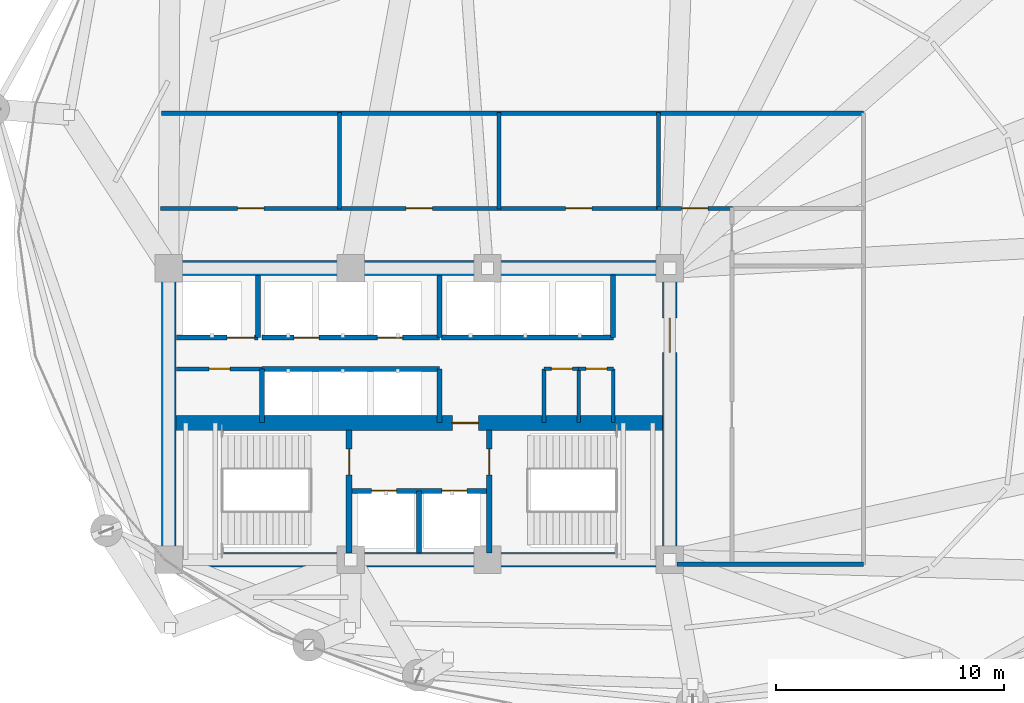
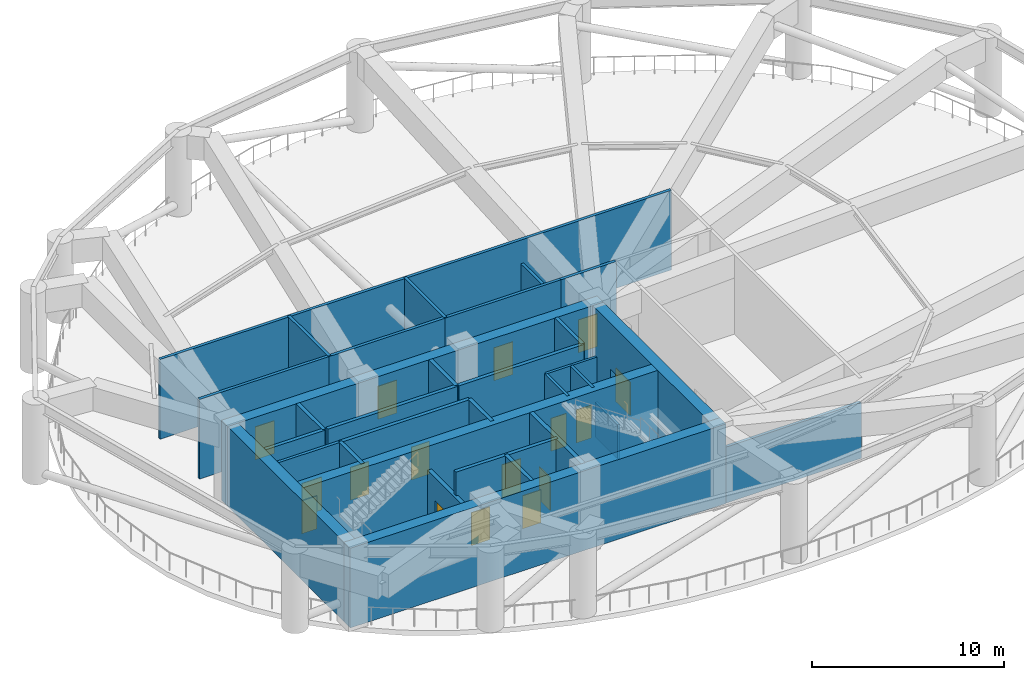
# One storey, part 6 of 9: 33 walls, 16 doors, 16 openings.
"""IFC4 building model written with IfcOpenShell, lengths in metres."""

from ifc_helpers import new_model, si_unit, direction, frame, frame_2d, origin, place, context, subcontext, project, spatial, rectangle, extrude, material, layer, layer_set, type_object, element, fill, save


model = new_model("IFC4")

# Units and contexts
model_context = context("Model", 3, precision=1e-05, world=origin(), true_north=direction((0.0, 1.0)))
body_context = subcontext(model_context, "Body", "Model", "MODEL_VIEW")
ifc_project = project(units=[si_unit("LENGTHUNIT", "METRE"), si_unit("AREAUNIT", "SQUARE_METRE"), si_unit("VOLUMEUNIT", "CUBIC_METRE"), si_unit("PLANEANGLEUNIT", "RADIAN"), si_unit("MASSUNIT", "GRAM", prefix="KILO")], contexts=[model_context])

# Site, building, storey
site_placement = place(None, origin())
site = spatial("IfcSite", under=ifc_project, at=site_placement, CompositionType="ELEMENT")
building_placement = place(site_placement, origin())
building = spatial("IfcBuilding", under=site, at=building_placement, Name="Kazevale Care Tower and Concert Hall", CompositionType="ELEMENT")
storey_placement = place(building_placement, frame((0.0, 0.0, 92.39990234375)))
storey = spatial("IfcBuildingStorey", under=building, at=storey_placement, Name="L24", CompositionType="ELEMENT", Elevation=92.39990234375)

# Wall
ifc_material_1 = material(Name="Acoustic Gypsum on Steel Stud", Category="steel")
ifc_layer_1 = layer(ifc_material_1, 0.139892578125)
ifc_layer_set_1 = layer_set([ifc_layer_1], Name="Acoustic Gypsum on Steel Stud")
wall_type_1 = type_object("IfcWallType", Name="Acoustic Care & Suite Partition 140", PredefinedType="PARTITIONING", material=ifc_layer_set_1)
wall_1_placement = place(storey_placement, frame((41.52001953125, 29.6201171875, 0.0), z_axis=(0.0, 0.0, 1.0), x_axis=(0.0, 1.0, 0.0)))
element("IfcWall", 1, at=wall_1_placement, inside=storey, type_object=wall_type_1, Name="wall:L24:ka_ee", PredefinedType="PARTITIONING", context=body_context, shape_type="SweptSolid", body=[
    extrude(rectangle(XDim=2.35986328125, YDim=0.139892578125, at=frame_2d((1.179931640625, 0.0))), origin(), (0.0, 0.0, 1.0), 2.18701171875),
])

# Wall, opening, door
wall_2_placement = place(storey_placement, frame((40.0, 31.97998046875, 0.0), z_axis=(0.0, 0.0, 1.0), x_axis=(1.0, 0.0, 0.0)))
wall_2 = element("IfcWall", 2, at=wall_2_placement, inside=storey, type_object=wall_type_1, Name="wall:L24:ka_en2", PredefinedType="PARTITIONING", context=body_context, shape_type="SweptSolid", body=[
    extrude(rectangle(XDim=1.52001953125, YDim=0.139892578125, at=frame_2d((0.760009765625, 0.0))), origin(), (0.0, 0.0, 1.0), 5.080078125),
])
opening_1_placement = place(wall_2_placement, frame((0.320068359375, 0.0, 0.0)))
opening_1 = element("IfcOpeningElement", 3, at=opening_1_placement, cuts=wall_2, Name="Opening ID-900", PredefinedType="OPENING", context=body_context, shape_type="SweptSolid", body=[
    extrude(rectangle(XDim=0.919921875, YDim=2.10009765625, at=frame_2d((0.4599609375, 1.050048828125))), frame((0.0, 0.079833984375, 0.0), z_axis=(0.0, -1.0, 0.0), x_axis=(1.0, 0.0, 0.0)), (0.0, 0.0, 1.0), 0.159912109375),
])
ifc_material_2 = material(Name="Oak Timber Fire Leaf", Category="wood")
door_type_1 = type_object("IfcDoorType", Name="Bathroom & Service Door 920x2100", OperationType="NOTDEFINED", PredefinedType="DOOR", material=ifc_material_2)
door_1_placement = place(opening_1_placement, origin())
door_1 = element("IfcDoor", 4, at=door_1_placement, inside=storey, type_object=door_type_1, Name="door:L24:d_kae2", OperationType="SINGLE_SWING_RIGHT", OverallHeight=2.10009765625, OverallWidth=0.919921875, PredefinedType="DOOR", context=body_context, shape_type="SweptSolid", body=[
    extrude(rectangle(XDim=0.919921875, YDim=2.10009765625, at=frame_2d((0.4599609375, 1.050048828125))), frame((0.0, 0.02490234375, 0.0), z_axis=(0.0, -1.0, 0.0), x_axis=(1.0, 0.0, 0.0)), (0.0, 0.0, 1.0), 0.050048828125),
])
fill(opening_1, door_1)

# Walls
ifc_material_3 = material(Name="Concrete C70", Category="concrete")
ifc_layer_2 = layer(ifc_material_3, 0.64990234375)
ifc_layer_set_2 = layer_set([ifc_layer_2], Name="Concrete C70")
wall_type_2 = type_object("IfcWallType", Name="Core Shear Wall 650 C70", PredefinedType="SHEAR", material=ifc_layer_set_2)
for number, where, z_axis, x_axis, name in (
    (5, (21.675048828125, 23.60009765625, 0.0), (0.0, 0.0, 1.0), (1.0, 0.0, 0.0), "wall:L24:core:S"),
    (6, (21.675048828125, 36.39990234375, 0.0), (0.0, 0.0, 1.0), (1.0, 0.0, 0.0), "wall:L24:core:N"),
):
    element("IfcWall", number, at=place(storey_placement, frame(where, z_axis=z_axis, x_axis=x_axis)), inside=storey, type_object=wall_type_2, Name=name, PredefinedType="SHEAR", context=body_context, shape_type="SweptSolid", body=[
        extrude(rectangle(XDim=22.64990234375, YDim=0.64990234375, at=frame_2d((11.324951171875, 0.0))), origin(), (0.0, 0.0, 1.0), 5.080078125),
    ])
wall_3_placement = place(storey_placement, frame((22.0, 23.925048828125, 0.0), z_axis=(0.0, 0.0, 1.0), x_axis=(0.0, 1.0, 0.0)))
element("IfcWall", 7, at=wall_3_placement, inside=storey, type_object=wall_type_2, Name="wall:L24:core:W", PredefinedType="SHEAR", context=body_context, shape_type="SweptSolid", body=[
    extrude(rectangle(XDim=12.14990234375, YDim=0.64990234375, at=frame_2d((6.074951171875, 0.0))), origin(), (0.0, 0.0, 1.0), 5.080078125),
])

# Wall, opening, door
wall_4_placement = place(storey_placement, frame((44.0, 23.925048828125, 0.0), z_axis=(0.0, 0.0, 1.0), x_axis=(0.0, 1.0, 0.0)))
wall_4 = element("IfcWall", 8, at=wall_4_placement, inside=storey, type_object=wall_type_2, Name="wall:L24:core:E", PredefinedType="SHEAR", context=body_context, shape_type="SweptSolid", body=[
    extrude(rectangle(XDim=12.14990234375, YDim=0.64990234375, at=frame_2d((6.074951171875, 0.0))), origin(), (0.0, 0.0, 1.0), 5.080078125),
])
opening_2_placement = place(wall_4_placement, frame((8.77490234375, 0.0, 0.0)))
opening_2 = element("IfcOpeningElement", 9, at=opening_2_placement, cuts=wall_4, Name="Opening FD-60D", PredefinedType="OPENING", context=body_context, shape_type="SweptSolid", body=[
    extrude(rectangle(XDim=1.5, YDim=2.14990234375, at=frame_2d((0.75, 1.074951171875))), frame((0.0, 0.3349609375, 0.0), z_axis=(0.0, -1.0, 0.0), x_axis=(1.0, 0.0, 0.0)), (0.0, 0.0, 1.0), 0.669921875),
])
door_type_2 = type_object("IfcDoorType", Name="Double Lobby & Auditorium Fire Door 1500x2150", OperationType="NOTDEFINED", PredefinedType="DOOR", material=ifc_material_2)
door_2_placement = place(opening_2_placement, origin())
door_2 = element("IfcDoor", 10, at=door_2_placement, inside=storey, type_object=door_type_2, Name="door:L24:core_east_out", OperationType="DOUBLE_DOOR_SINGLE_SWING", OverallHeight=2.14990234375, OverallWidth=1.5, PredefinedType="DOOR", context=body_context, shape_type="SweptSolid", body=[
    extrude(rectangle(XDim=1.5, YDim=2.14990234375, at=frame_2d((0.75, 1.074951171875))), frame((0.0, 0.02490234375, 0.0), z_axis=(0.0, -1.0, 0.0), x_axis=(1.0, 0.0, 0.0)), (0.0, 0.0, 1.0), 0.050048828125),
])
fill(opening_2, door_2)

wall_5_placement = place(storey_placement, frame((22.324951171875, 29.60009765625, 0.0), z_axis=(0.0, 0.0, 1.0), x_axis=(1.0, 0.0, 0.0)))
wall_5 = element("IfcWall", 11, at=wall_5_placement, inside=storey, type_object=wall_type_2, Name="wall:L24:core:M", PredefinedType="SHEAR", context=body_context, shape_type="SweptSolid", body=[
    extrude(rectangle(XDim=21.35009765625, YDim=0.64990234375, at=frame_2d((10.675048828125, 0.0))), origin(), (0.0, 0.0, 1.0), 5.080078125),
])
opening_3_placement = place(wall_5_placement, frame((12.125, 0.0, 0.0)))
opening_3 = element("IfcOpeningElement", 12, at=opening_3_placement, cuts=wall_5, Name="Opening FD-90", PredefinedType="OPENING", context=body_context, shape_type="SweptSolid", body=[
    extrude(rectangle(XDim=1.14990234375, YDim=2.10009765625, at=frame_2d((0.574951171875, 1.050048828125))), frame((0.0, 0.3349609375, 0.0), z_axis=(0.0, -1.0, 0.0), x_axis=(1.0, 0.0, 0.0)), (0.0, 0.0, 1.0), 0.669921875),
])
ifc_material_4 = material(Name="Steel ASTM A572 Gr 50", Category="steel")
door_type_3 = type_object("IfcDoorType", Name="Pressurized Stair & Lobby Fire Door 1150x2100", OperationType="NOTDEFINED", PredefinedType="DOOR", material=ifc_material_4)
door_3_placement = place(opening_3_placement, origin())
door_3 = element("IfcDoor", 13, at=door_3_placement, inside=storey, type_object=door_type_3, Name="door:L24:ff_to_pax", OperationType="SINGLE_SWING_LEFT", OverallHeight=2.10009765625, OverallWidth=1.14990234375, PredefinedType="DOOR", context=body_context, shape_type="SweptSolid", body=[
    extrude(rectangle(XDim=1.14990234375, YDim=2.10009765625, at=frame_2d((0.574951171875, 1.050048828125))), frame((0.0, 0.02490234375, 0.0), z_axis=(0.0, -1.0, 0.0), x_axis=(1.0, 0.0, 0.0)), (0.0, 0.0, 1.0), 0.050048828125),
])
fill(opening_3, door_3)

# Wall, openings, doors
ifc_material_5 = material(Name="Concrete C40", Category="concrete")
ifc_layer_3 = layer(ifc_material_5, 0.219970703125)
ifc_layer_set_3 = layer_set([ifc_layer_3], Name="Concrete C40")
wall_type_3 = type_object("IfcWallType", Name="Elevator Hoistway Shaft Wall 220", PredefinedType="SOLIDWALL", material=ifc_layer_set_3)
wall_6_placement = place(storey_placement, frame((29.919921875, 26.6201171875, 0.0), z_axis=(0.0, 0.0, 1.0), x_axis=(1.0, 0.0, 0.0)))
wall_6 = element("IfcWall", 14, at=wall_6_placement, inside=storey, type_object=wall_type_3, Name="wall:L24:c_ffl_n", PredefinedType="SOLIDWALL", context=body_context, shape_type="SweptSolid", body=[
    extrude(rectangle(XDim=6.16015625, YDim=0.219970703125, at=frame_2d((3.080078125, 0.0))), origin(), (0.0, 0.0, 1.0), 5.080078125),
])
opening_4_placement = place(wall_6_placement, frame((0.989990234375, 0.0, 0.0)))
opening_4 = element("IfcOpeningElement", 15, at=opening_4_placement, cuts=wall_6, Name="Opening LD-FF", PredefinedType="OPENING", context=body_context, shape_type="SweptSolid", body=[
    extrude(rectangle(XDim=1.10009765625, YDim=2.10009765625, at=frame_2d((0.550048828125, 1.050048828125))), frame((0.0, 0.119873046875, 0.0), z_axis=(0.0, -1.0, 0.0), x_axis=(1.0, 0.0, 0.0)), (0.0, 0.0, 1.0), 0.239990234375),
])
opening_5_placement = place(wall_6_placement, frame((4.070068359375, 0.0, 0.0)))
opening_5 = element("IfcOpeningElement", 16, at=opening_5_placement, cuts=wall_6, Name="Opening LD-FF", PredefinedType="OPENING", context=body_context, shape_type="SweptSolid", body=[
    extrude(rectangle(XDim=1.10009765625, YDim=2.10009765625, at=frame_2d((0.550048828125, 1.050048828125))), frame((0.0, 0.119873046875, 0.0), z_axis=(0.0, -1.0, 0.0), x_axis=(1.0, 0.0, 0.0)), (0.0, 0.0, 1.0), 0.239990234375),
])
ifc_material_6 = material(Name="Stainless Steel 316", Category="steel")
door_type_4 = type_object("IfcDoorType", Name="Emergency Lift Sliding Landing Door 1100x2100", OperationType="NOTDEFINED", PredefinedType="DOOR", material=ifc_material_6)
door_4_placement = place(opening_4_placement, origin())
door_4 = element("IfcDoor", 17, at=door_4_placement, inside=storey, type_object=door_type_4, Name="door:L24:ld_ffl1", OperationType="SLIDING_TO_LEFT", OverallHeight=2.10009765625, OverallWidth=1.10009765625, PredefinedType="DOOR", context=body_context, shape_type="SweptSolid", body=[
    extrude(rectangle(XDim=1.10009765625, YDim=2.10009765625, at=frame_2d((0.550048828125, 1.050048828125))), frame((0.0, 0.02490234375, 0.0), z_axis=(0.0, -1.0, 0.0), x_axis=(1.0, 0.0, 0.0)), (0.0, 0.0, 1.0), 0.050048828125),
])
fill(opening_4, door_4)
door_5_placement = place(opening_5_placement, origin())
door_5 = element("IfcDoor", 18, at=door_5_placement, inside=storey, type_object=door_type_4, Name="door:L24:ld_ffl2", OperationType="SLIDING_TO_RIGHT", OverallHeight=2.10009765625, OverallWidth=1.10009765625, PredefinedType="DOOR", context=body_context, shape_type="SweptSolid", body=[
    extrude(rectangle(XDim=1.10009765625, YDim=2.10009765625, at=frame_2d((0.550048828125, 1.050048828125))), frame((0.0, 0.02490234375, 0.0), z_axis=(0.0, -1.0, 0.0), x_axis=(1.0, 0.0, 0.0)), (0.0, 0.0, 1.0), 0.050048828125),
])
fill(opening_5, door_5)

# Walls
wall_7_placement = place(storey_placement, frame((33.0, 23.89990234375, 0.0), z_axis=(0.0, 0.0, 1.0), x_axis=(0.0, 1.0, 0.0)))
element("IfcWall", 19, at=wall_7_placement, inside=storey, type_object=wall_type_3, Name="wall:L24:c_ffl_m", PredefinedType="SOLIDWALL", context=body_context, shape_type="SweptSolid", body=[
    extrude(rectangle(XDim=2.72021484375, YDim=0.219970703125, at=frame_2d((1.360107421875, 0.0))), origin(), (0.0, 0.0, 1.0), 5.080078125),
])
wall_8_placement = place(storey_placement, frame((25.919921875, 33.35009765625, 0.0), z_axis=(0.0, 0.0, 1.0), x_axis=(0.0, 1.0, 0.0)))
element("IfcWall", 20, at=wall_8_placement, inside=storey, type_object=wall_type_3, Name="wall:L24:c_svl_e", PredefinedType="SOLIDWALL", context=body_context, shape_type="SweptSolid", body=[
    extrude(rectangle(XDim=2.72998046875, YDim=0.219970703125, at=frame_2d((1.364990234375, 0.0))), origin(), (0.0, 0.0, 1.0), 5.080078125),
])

# Wall, opening, door
wall_9_placement = place(storey_placement, frame((22.35009765625, 33.35009765625, 0.0), z_axis=(0.0, 0.0, 1.0), x_axis=(1.0, 0.0, 0.0)))
wall_9 = element("IfcWall", 21, at=wall_9_placement, inside=storey, type_object=wall_type_3, Name="wall:L24:c_svl_s", PredefinedType="SOLIDWALL", context=body_context, shape_type="SweptSolid", body=[
    extrude(rectangle(XDim=3.56982421875, YDim=0.219970703125, at=frame_2d((1.784912109375, 0.0))), origin(), (0.0, 0.0, 1.0), 5.080078125),
])
opening_6_placement = place(wall_9_placement, frame((2.212890625, 0.0, 0.0)))
opening_6 = element("IfcOpeningElement", 22, at=opening_6_placement, cuts=wall_9, Name="Opening LD-SV", PredefinedType="OPENING", context=body_context, shape_type="SweptSolid", body=[
    extrude(rectangle(XDim=1.199951171875, YDim=2.10009765625, at=frame_2d((0.60009765625, 1.050048828125))), frame((0.0, 0.119873046875, 0.0), z_axis=(0.0, -1.0, 0.0), x_axis=(1.0, 0.0, 0.0)), (0.0, 0.0, 1.0), 0.239990234375),
])
door_type_5 = type_object("IfcDoorType", Name="Service Lift Sliding Landing Door 1200x2100", OperationType="NOTDEFINED", PredefinedType="DOOR", material=ifc_material_6)
door_6_placement = place(opening_6_placement, origin())
door_6 = element("IfcDoor", 23, at=door_6_placement, inside=storey, type_object=door_type_5, Name="door:L24:ld_svl1", OperationType="SLIDING_TO_LEFT", OverallHeight=2.10009765625, OverallWidth=1.199951171875, PredefinedType="DOOR", context=body_context, shape_type="SweptSolid", body=[
    extrude(rectangle(XDim=1.199951171875, YDim=2.10009765625, at=frame_2d((0.60009765625, 1.050048828125))), frame((0.0, 0.02490234375, 0.0), z_axis=(0.0, -1.0, 0.0), x_axis=(1.0, 0.0, 0.0)), (0.0, 0.0, 1.0), 0.050048828125),
])
fill(opening_6, door_6)

# Walls
wall_10_placement = place(storey_placement, frame((26.10009765625, 29.6201171875, 0.0), z_axis=(0.0, 0.0, 1.0), x_axis=(0.0, 1.0, 0.0)))
element("IfcWall", 24, at=wall_10_placement, inside=storey, type_object=wall_type_3, Name="wall:L24:c_ph_w", PredefinedType="SOLIDWALL", context=body_context, shape_type="SweptSolid", body=[
    extrude(rectangle(XDim=2.35986328125, YDim=0.219970703125, at=frame_2d((1.179931640625, 0.0))), origin(), (0.0, 0.0, 1.0), 5.080078125),
])
wall_11_placement = place(storey_placement, frame((26.10009765625, 31.97998046875, 0.0), z_axis=(0.0, 0.0, 1.0), x_axis=(1.0, 0.0, 0.0)))
element("IfcWall", 25, at=wall_11_placement, inside=storey, type_object=wall_type_3, Name="wall:L24:c_ph_n", PredefinedType="SOLIDWALL", context=body_context, shape_type="SweptSolid", body=[
    extrude(rectangle(XDim=7.7998046875, YDim=0.219970703125, at=frame_2d((3.89990234375, 0.0))), origin(), (0.0, 0.0, 1.0), 5.080078125),
])
wall_12_placement = place(storey_placement, frame((33.89990234375, 29.6201171875, 0.0), z_axis=(0.0, 0.0, 1.0), x_axis=(0.0, 1.0, 0.0)))
element("IfcWall", 26, at=wall_12_placement, inside=storey, type_object=wall_type_3, Name="wall:L24:c_ph_e", PredefinedType="SOLIDWALL", context=body_context, shape_type="SweptSolid", body=[
    extrude(rectangle(XDim=2.35986328125, YDim=0.219970703125, at=frame_2d((1.179931640625, 0.0))), origin(), (0.0, 0.0, 1.0), 5.080078125),
])

# Wall, openings, doors
wall_13_placement = place(storey_placement, frame((26.10009765625, 33.35009765625, 0.0), z_axis=(0.0, 0.0, 1.0), x_axis=(1.0, 0.0, 0.0)))
wall_13 = element("IfcWall", 27, at=wall_13_placement, inside=storey, type_object=wall_type_3, Name="wall:L24:c_pl_s", PredefinedType="SOLIDWALL", context=body_context, shape_type="SweptSolid", body=[
    extrude(rectangle(XDim=7.7998046875, YDim=0.219970703125, at=frame_2d((3.89990234375, 0.0))), origin(), (0.0, 0.0, 1.0), 5.080078125),
])
opening_7_placement = place(wall_13_placement, frame((1.39990234375, 0.0, 0.0)))
opening_7 = element("IfcOpeningElement", 28, at=opening_7_placement, cuts=wall_13, Name="Opening LD-PAX", PredefinedType="OPENING", context=body_context, shape_type="SweptSolid", body=[
    extrude(rectangle(XDim=1.10009765625, YDim=2.10009765625, at=frame_2d((0.550048828125, 1.050048828125))), frame((0.0, 0.119873046875, 0.0), z_axis=(0.0, -1.0, 0.0), x_axis=(1.0, 0.0, 0.0)), (0.0, 0.0, 1.0), 0.239990234375),
])
opening_8_placement = place(wall_13_placement, frame((5.06591796875, 0.0, 0.0)))
opening_8 = element("IfcOpeningElement", 29, at=opening_8_placement, cuts=wall_13, Name="Opening LD-PAX", PredefinedType="OPENING", context=body_context, shape_type="SweptSolid", body=[
    extrude(rectangle(XDim=1.10009765625, YDim=2.10009765625, at=frame_2d((0.550048828125, 1.050048828125))), frame((0.0, 0.119873046875, 0.0), z_axis=(0.0, -1.0, 0.0), x_axis=(1.0, 0.0, 0.0)), (0.0, 0.0, 1.0), 0.239990234375),
])
door_type_6 = type_object("IfcDoorType", Name="Passenger Lift Sliding Landing Door 1100x2100", OperationType="NOTDEFINED", PredefinedType="DOOR", material=ifc_material_6)
door_7_placement = place(opening_7_placement, origin())
door_7 = element("IfcDoor", 30, at=door_7_placement, inside=storey, type_object=door_type_6, Name="door:L24:ld_pl1", OperationType="SLIDING_TO_LEFT", OverallHeight=2.10009765625, OverallWidth=1.10009765625, PredefinedType="DOOR", context=body_context, shape_type="SweptSolid", body=[
    extrude(rectangle(XDim=1.10009765625, YDim=2.10009765625, at=frame_2d((0.550048828125, 1.050048828125))), frame((0.0, 0.02490234375, 0.0), z_axis=(0.0, -1.0, 0.0), x_axis=(1.0, 0.0, 0.0)), (0.0, 0.0, 1.0), 0.050048828125),
])
fill(opening_7, door_7)
door_8_placement = place(opening_8_placement, origin())
door_8 = element("IfcDoor", 31, at=door_8_placement, inside=storey, type_object=door_type_6, Name="door:L24:ld_pl2", OperationType="SLIDING_TO_RIGHT", OverallHeight=2.10009765625, OverallWidth=1.10009765625, PredefinedType="DOOR", context=body_context, shape_type="SweptSolid", body=[
    extrude(rectangle(XDim=1.10009765625, YDim=2.10009765625, at=frame_2d((0.550048828125, 1.050048828125))), frame((0.0, 0.02490234375, 0.0), z_axis=(0.0, -1.0, 0.0), x_axis=(1.0, 0.0, 0.0)), (0.0, 0.0, 1.0), 0.050048828125),
])
fill(opening_8, door_8)

# Walls
wall_14_placement = place(storey_placement, frame((33.89990234375, 33.35009765625, 0.0), z_axis=(0.0, 0.0, 1.0), x_axis=(0.0, 1.0, 0.0)))
element("IfcWall", 32, at=wall_14_placement, inside=storey, type_object=wall_type_3, Name="wall:L24:c_pl_e", PredefinedType="SOLIDWALL", context=body_context, shape_type="SweptSolid", body=[
    extrude(rectangle(XDim=2.72998046875, YDim=0.219970703125, at=frame_2d((1.364990234375, 0.0))), origin(), (0.0, 0.0, 1.0), 5.080078125),
])
wall_15_placement = place(storey_placement, frame((33.97998046875, 33.35009765625, 0.0), z_axis=(0.0, 0.0, 1.0), x_axis=(1.0, 0.0, 0.0)))
element("IfcWall", 33, at=wall_15_placement, inside=storey, type_object=wall_type_3, Name="wall:L24:c_pm_s", PredefinedType="SOLIDWALL", context=body_context, shape_type="SweptSolid", body=[
    extrude(rectangle(XDim=7.5400390625, YDim=0.219970703125, at=frame_2d((3.77001953125, 0.0))), origin(), (0.0, 0.0, 1.0), 5.080078125),
])
wall_16_placement = place(storey_placement, frame((41.5, 33.35009765625, 0.0), z_axis=(0.0, 0.0, 1.0), x_axis=(0.0, 1.0, 0.0)))
element("IfcWall", 34, at=wall_16_placement, inside=storey, type_object=wall_type_3, Name="wall:L24:c_pm_e", PredefinedType="SOLIDWALL", context=body_context, shape_type="SweptSolid", body=[
    extrude(rectangle(XDim=2.75, YDim=0.219970703125, at=frame_2d((1.375, 0.0))), origin(), (0.0, 0.0, 1.0), 5.080078125),
])

# Wall, opening, door
ifc_material_7 = material(Name="Concrete C40 and Acoustic Gypsum", Category="concrete")
ifc_layer_4 = layer(ifc_material_7, 0.179931640625)
ifc_layer_set_4 = layer_set([ifc_layer_4], Name="Concrete C40 and Acoustic Gypsum")
wall_type_4 = type_object("IfcWallType", Name="Fire-Rated Corridor & Party Wall 180", PredefinedType="PARTITIONING", material=ifc_layer_set_4)
wall_17_placement = place(storey_placement, frame((22.35009765625, 31.97998046875, 0.0), z_axis=(0.0, 0.0, 1.0), x_axis=(1.0, 0.0, 0.0)))
wall_17 = element("IfcWall", 35, at=wall_17_placement, inside=storey, type_object=wall_type_4, Name="wall:L24:ka_wn1", PredefinedType="PARTITIONING", context=body_context, shape_type="SweptSolid", body=[
    extrude(rectangle(XDim=3.75, YDim=0.179931640625, at=frame_2d((1.875, 0.0))), origin(), (0.0, 0.0, 1.0), 5.080078125),
])
opening_9_placement = place(wall_17_placement, frame((1.425048828125, 0.0, 0.0)))
opening_9 = element("IfcOpeningElement", 36, at=opening_9_placement, cuts=wall_17, Name="Opening ID-900", PredefinedType="OPENING", context=body_context, shape_type="SweptSolid", body=[
    extrude(rectangle(XDim=0.919921875, YDim=2.10009765625, at=frame_2d((0.4599609375, 1.050048828125))), frame((0.0, 0.099853515625, 0.0), z_axis=(0.0, -1.0, 0.0), x_axis=(1.0, 0.0, 0.0)), (0.0, 0.0, 1.0), 0.199951171875),
])
door_9_placement = place(opening_9_placement, origin())
door_9 = element("IfcDoor", 37, at=door_9_placement, inside=storey, type_object=door_type_1, Name="door:L24:d_kaw", OperationType="SINGLE_SWING_LEFT", OverallHeight=2.10009765625, OverallWidth=0.919921875, PredefinedType="DOOR", context=body_context, shape_type="SweptSolid", body=[
    extrude(rectangle(XDim=0.919921875, YDim=2.10009765625, at=frame_2d((0.4599609375, 1.050048828125))), frame((0.0, 0.02490234375, 0.0), z_axis=(0.0, -1.0, 0.0), x_axis=(1.0, 0.0, 0.0)), (0.0, 0.0, 1.0), 0.050048828125),
])
fill(opening_9, door_9)

# Walls
wall_18_placement = place(storey_placement, frame((21.675048828125, 43.199951171875, 0.0), z_axis=(0.0, 0.0, 1.0), x_axis=(1.0, 0.0, 0.0)))
element("IfcWall", 38, at=wall_18_placement, inside=storey, type_object=wall_type_4, Name="wall:L24:wf_enc_n", PredefinedType="PARTITIONING", context=body_context, shape_type="SweptSolid", body=[
    extrude(rectangle(XDim=30.824951171875, YDim=0.179931640625, at=frame_2d((15.41259765625, 0.0))), origin(), (0.0, 0.0, 1.0), 5.080078125),
])
wall_19_placement = place(storey_placement, frame((44.324951171875, 23.39990234375, 0.0), z_axis=(0.0, 0.0, 1.0), x_axis=(1.0, 0.0, 0.0)))
element("IfcWall", 39, at=wall_19_placement, inside=storey, type_object=wall_type_4, Name="wall:L24:wf_enc_s", PredefinedType="PARTITIONING", context=body_context, shape_type="SweptSolid", body=[
    extrude(rectangle(XDim=8.175048828125, YDim=0.179931640625, at=frame_2d((4.08740234375, 0.0))), origin(), (0.0, 0.0, 1.0), 3.570068359375),
])

# Wall, opening, door
wall_20_placement = place(storey_placement, frame((21.64501953125, 39.02490234375, 0.0), z_axis=(0.0, 0.0, 1.0), x_axis=(1.0, 0.0, 0.0)))
wall_20 = element("IfcWall", 40, at=wall_20_placement, inside=storey, type_object=wall_type_4, Name="wall:L24:auto_001", PredefinedType="PARTITIONING", context=body_context, shape_type="SweptSolid", body=[
    extrude(rectangle(XDim=7.919921875, YDim=0.179931640625, at=frame_2d((3.9599609375, 0.0))), origin(), (0.0, 0.0, 1.0), 5.080078125),
])
opening_10_placement = place(wall_20_placement, frame((3.385009765625, 0.0, 0.0)))
opening_10 = element("IfcOpeningElement", 41, at=opening_10_placement, cuts=wall_20, Name="Opening FD-90", PredefinedType="OPENING", context=body_context, shape_type="SweptSolid", body=[
    extrude(rectangle(XDim=1.14990234375, YDim=2.10009765625, at=frame_2d((0.574951171875, 1.050048828125))), frame((0.0, 0.099853515625, 0.0), z_axis=(0.0, -1.0, 0.0), x_axis=(1.0, 0.0, 0.0)), (0.0, 0.0, 1.0), 0.199951171875),
])
door_10_placement = place(opening_10_placement, origin())
door_10 = element("IfcDoor", 42, at=door_10_placement, inside=storey, type_object=door_type_3, Name="door:L24:ad_001", OperationType="SINGLE_SWING_LEFT", OverallHeight=2.10009765625, OverallWidth=1.14990234375, PredefinedType="DOOR", context=body_context, shape_type="SweptSolid", body=[
    extrude(rectangle(XDim=1.14990234375, YDim=2.10009765625, at=frame_2d((0.574951171875, 1.050048828125))), frame((0.0, 0.02490234375, 0.0), z_axis=(0.0, -1.0, 0.0), x_axis=(1.0, 0.0, 0.0)), (0.0, 0.0, 1.0), 0.050048828125),
])
fill(opening_10, door_10)

wall_21_placement = place(storey_placement, frame((29.43505859375, 39.02490234375, 0.0), z_axis=(0.0, 0.0, 1.0), x_axis=(1.0, 0.0, 0.0)))
wall_21 = element("IfcWall", 43, at=wall_21_placement, inside=storey, type_object=wall_type_4, Name="wall:L24:auto_003", PredefinedType="PARTITIONING", context=body_context, shape_type="SweptSolid", body=[
    extrude(rectangle(XDim=7.1298828125, YDim=0.179931640625, at=frame_2d((3.56494140625, 0.0))), origin(), (0.0, 0.0, 1.0), 5.080078125),
])
opening_11_placement = place(wall_21_placement, frame((2.989990234375, 0.0, 0.0)))
opening_11 = element("IfcOpeningElement", 44, at=opening_11_placement, cuts=wall_21, Name="Opening FD-90", PredefinedType="OPENING", context=body_context, shape_type="SweptSolid", body=[
    extrude(rectangle(XDim=1.14990234375, YDim=2.10009765625, at=frame_2d((0.574951171875, 1.050048828125))), frame((0.0, 0.099853515625, 0.0), z_axis=(0.0, -1.0, 0.0), x_axis=(1.0, 0.0, 0.0)), (0.0, 0.0, 1.0), 0.199951171875),
])
door_11_placement = place(opening_11_placement, origin())
door_11 = element("IfcDoor", 45, at=door_11_placement, inside=storey, type_object=door_type_3, Name="door:L24:ad_003", OperationType="SINGLE_SWING_LEFT", OverallHeight=2.10009765625, OverallWidth=1.14990234375, PredefinedType="DOOR", context=body_context, shape_type="SweptSolid", body=[
    extrude(rectangle(XDim=1.14990234375, YDim=2.10009765625, at=frame_2d((0.574951171875, 1.050048828125))), frame((0.0, 0.02490234375, 0.0), z_axis=(0.0, -1.0, 0.0), x_axis=(1.0, 0.0, 0.0)), (0.0, 0.0, 1.0), 0.050048828125),
])
fill(opening_11, door_11)

wall_22_placement = place(storey_placement, frame((36.43505859375, 39.02490234375, 0.0), z_axis=(0.0, 0.0, 1.0), x_axis=(1.0, 0.0, 0.0)))
wall_22 = element("IfcWall", 46, at=wall_22_placement, inside=storey, type_object=wall_type_4, Name="wall:L24:auto_004", PredefinedType="PARTITIONING", context=body_context, shape_type="SweptSolid", body=[
    extrude(rectangle(XDim=7.1298828125, YDim=0.179931640625, at=frame_2d((3.56494140625, 0.0))), origin(), (0.0, 0.0, 1.0), 5.080078125),
])
opening_12_placement = place(wall_22_placement, frame((2.989990234375, 0.0, 0.0)))
opening_12 = element("IfcOpeningElement", 47, at=opening_12_placement, cuts=wall_22, Name="Opening FD-90", PredefinedType="OPENING", context=body_context, shape_type="SweptSolid", body=[
    extrude(rectangle(XDim=1.14990234375, YDim=2.10009765625, at=frame_2d((0.574951171875, 1.050048828125))), frame((0.0, 0.099853515625, 0.0), z_axis=(0.0, -1.0, 0.0), x_axis=(1.0, 0.0, 0.0)), (0.0, 0.0, 1.0), 0.199951171875),
])
door_12_placement = place(opening_12_placement, origin())
door_12 = element("IfcDoor", 48, at=door_12_placement, inside=storey, type_object=door_type_3, Name="door:L24:ad_004", OperationType="SINGLE_SWING_LEFT", OverallHeight=2.10009765625, OverallWidth=1.14990234375, PredefinedType="DOOR", context=body_context, shape_type="SweptSolid", body=[
    extrude(rectangle(XDim=1.14990234375, YDim=2.10009765625, at=frame_2d((0.574951171875, 1.050048828125))), frame((0.0, 0.02490234375, 0.0), z_axis=(0.0, -1.0, 0.0), x_axis=(1.0, 0.0, 0.0)), (0.0, 0.0, 1.0), 0.050048828125),
])
fill(opening_12, door_12)

wall_23_placement = place(storey_placement, frame((43.43505859375, 39.02490234375, 0.0), z_axis=(0.0, 0.0, 1.0), x_axis=(1.0, 0.0, 0.0)))
wall_23 = element("IfcWall", 49, at=wall_23_placement, inside=storey, type_object=wall_type_4, Name="wall:L24:auto_005", PredefinedType="PARTITIONING", context=body_context, shape_type="SweptSolid", body=[
    extrude(rectangle(XDim=3.31982421875, YDim=0.179931640625, at=frame_2d((1.659912109375, 0.0))), origin(), (0.0, 0.0, 1.0), 5.080078125),
])
opening_13_placement = place(wall_23_placement, frame((1.0849609375, 0.0, 0.0)))
opening_13 = element("IfcOpeningElement", 50, at=opening_13_placement, cuts=wall_23, Name="Opening FD-90", PredefinedType="OPENING", context=body_context, shape_type="SweptSolid", body=[
    extrude(rectangle(XDim=1.14990234375, YDim=2.10009765625, at=frame_2d((0.574951171875, 1.050048828125))), frame((0.0, 0.099853515625, 0.0), z_axis=(0.0, -1.0, 0.0), x_axis=(1.0, 0.0, 0.0)), (0.0, 0.0, 1.0), 0.199951171875),
])
door_13_placement = place(opening_13_placement, origin())
door_13 = element("IfcDoor", 51, at=door_13_placement, inside=storey, type_object=door_type_3, Name="door:L24:ad_005", OperationType="SINGLE_SWING_LEFT", OverallHeight=2.10009765625, OverallWidth=1.14990234375, PredefinedType="DOOR", context=body_context, shape_type="SweptSolid", body=[
    extrude(rectangle(XDim=1.14990234375, YDim=2.10009765625, at=frame_2d((0.574951171875, 1.050048828125))), frame((0.0, 0.02490234375, 0.0), z_axis=(0.0, -1.0, 0.0), x_axis=(1.0, 0.0, 0.0)), (0.0, 0.0, 1.0), 0.050048828125),
])
fill(opening_13, door_13)

# Walls
for number, where, z_axis, x_axis, name in (
    (52, (29.5, 43.22998046875, 0.0), (0.0, 0.0, 1.0), (0.0, -1.0, 0.0), "wall:L24:auto_007"),
    (53, (36.5, 43.22998046875, 0.0), (0.0, 0.0, 1.0), (0.0, -1.0, 0.0), "wall:L24:auto_009"),
):
    element("IfcWall", number, at=place(storey_placement, frame(where, z_axis=z_axis, x_axis=x_axis)), inside=storey, type_object=wall_type_4, Name=name, PredefinedType="PARTITIONING", context=body_context, shape_type="SweptSolid", body=[
        extrude(rectangle(XDim=4.23486328125, YDim=0.179931640625, at=frame_2d((2.117431640625, 0.0))), origin(), (0.0, 0.0, 1.0), 5.080078125),
    ])
wall_24_placement = place(storey_placement, frame((43.5, 43.22998046875, 0.0), z_axis=(0.0, 0.0, 1.0), x_axis=(0.0, -1.0, 0.0)))
element("IfcWall", 54, at=wall_24_placement, inside=storey, type_object=wall_type_4, Name="wall:L24:auto_010", PredefinedType="PARTITIONING", context=body_context, shape_type="SweptSolid", body=[
    extrude(rectangle(XDim=4.23486328125, YDim=0.179931640625, at=frame_2d((2.117431640625, 0.0))), origin(), (0.0, 0.0, 1.0), 3.570068359375),
])
ifc_layer_5 = layer(ifc_material_1, 0.159912109375)
ifc_layer_set_5 = layer_set([ifc_layer_5], Name="Acoustic Gypsum on Steel Stud")
wall_type_5 = type_object("IfcWallType", Name="Moisture-Resistant Bathroom Plumbing Wall 160", PredefinedType="PLUMBINGWALL", material=ifc_layer_set_5)
for number, where, z_axis, x_axis, name in (
    (55, (38.47998046875, 29.6201171875, 0.0), (0.0, 0.0, 1.0), (0.0, 1.0, 0.0), "wall:L24:ka_ew"),
    (56, (40.0, 29.6201171875, 0.0), (0.0, 0.0, 1.0), (0.0, 1.0, 0.0), "wall:L24:ka_em"),
):
    element("IfcWall", number, at=place(storey_placement, frame(where, z_axis=z_axis, x_axis=x_axis)), inside=storey, type_object=wall_type_5, Name=name, PredefinedType="PLUMBINGWALL", context=body_context, shape_type="SweptSolid", body=[
        extrude(rectangle(XDim=2.35986328125, YDim=0.159912109375, at=frame_2d((1.179931640625, 0.0))), origin(), (0.0, 0.0, 1.0), 5.080078125),
    ])

# Wall, opening, door
wall_25_placement = place(storey_placement, frame((38.47998046875, 31.97998046875, 0.0), z_axis=(0.0, 0.0, 1.0), x_axis=(1.0, 0.0, 0.0)))
wall_25 = element("IfcWall", 57, at=wall_25_placement, inside=storey, type_object=wall_type_5, Name="wall:L24:ka_en1", PredefinedType="PLUMBINGWALL", context=body_context, shape_type="SweptSolid", body=[
    extrude(rectangle(XDim=1.52001953125, YDim=0.159912109375, at=frame_2d((0.760009765625, 0.0))), origin(), (0.0, 0.0, 1.0), 5.080078125),
])
opening_14_placement = place(wall_25_placement, frame((0.320068359375, 0.0, 0.0)))
opening_14 = element("IfcOpeningElement", 58, at=opening_14_placement, cuts=wall_25, Name="Opening ID-900", PredefinedType="OPENING", context=body_context, shape_type="SweptSolid", body=[
    extrude(rectangle(XDim=0.919921875, YDim=2.10009765625, at=frame_2d((0.4599609375, 1.050048828125))), frame((0.0, 0.08984375, 0.0), z_axis=(0.0, -1.0, 0.0), x_axis=(1.0, 0.0, 0.0)), (0.0, 0.0, 1.0), 0.179931640625),
])
door_14_placement = place(opening_14_placement, origin())
door_14 = element("IfcDoor", 59, at=door_14_placement, inside=storey, type_object=door_type_1, Name="door:L24:d_kae1", OperationType="SINGLE_SWING_LEFT", OverallHeight=2.10009765625, OverallWidth=0.919921875, PredefinedType="DOOR", context=body_context, shape_type="SweptSolid", body=[
    extrude(rectangle(XDim=0.919921875, YDim=2.10009765625, at=frame_2d((0.4599609375, 1.050048828125))), frame((0.0, 0.02490234375, 0.0), z_axis=(0.0, -1.0, 0.0), x_axis=(1.0, 0.0, 0.0)), (0.0, 0.0, 1.0), 0.050048828125),
])
fill(opening_14, door_14)

ifc_layer_6 = layer(ifc_material_5, 0.25)
ifc_layer_set_6 = layer_set([ifc_layer_6], Name="Concrete C40")
wall_type_6 = type_object("IfcWallType", Name="Pressurized Stair Shaft Wall 250", PredefinedType="SOLIDWALL", material=ifc_layer_set_6)
wall_26_placement = place(storey_placement, frame((29.919921875, 23.89990234375, 0.0), z_axis=(0.0, 0.0, 1.0), x_axis=(0.0, 1.0, 0.0)))
wall_26 = element("IfcWall", 60, at=wall_26_placement, inside=storey, type_object=wall_type_6, Name="wall:L24:c_st1_e", PredefinedType="SOLIDWALL", context=body_context, shape_type="SweptSolid", body=[
    extrude(rectangle(XDim=5.400146484375, YDim=0.25, at=frame_2d((2.7001953125, 0.0))), origin(), (0.0, 0.0, 1.0), 3.570068359375),
])
opening_15_placement = place(wall_26_placement, frame((3.4208984375, 0.0, 0.0)))
opening_15 = element("IfcOpeningElement", 61, at=opening_15_placement, cuts=wall_26, Name="Opening FD-90", PredefinedType="OPENING", context=body_context, shape_type="SweptSolid", body=[
    extrude(rectangle(XDim=1.14990234375, YDim=2.10009765625, at=frame_2d((0.574951171875, 1.050048828125))), frame((0.0, 0.135009765625, 0.0), z_axis=(0.0, -1.0, 0.0), x_axis=(1.0, 0.0, 0.0)), (0.0, 0.0, 1.0), 0.27001953125),
])
door_15_placement = place(opening_15_placement, origin())
door_15 = element("IfcDoor", 62, at=door_15_placement, inside=storey, type_object=door_type_3, Name="door:L24:st1", OperationType="SINGLE_SWING_RIGHT", OverallHeight=2.10009765625, OverallWidth=1.14990234375, PredefinedType="DOOR", context=body_context, shape_type="SweptSolid", body=[
    extrude(rectangle(XDim=1.14990234375, YDim=2.10009765625, at=frame_2d((0.574951171875, 1.050048828125))), frame((0.0, 0.02490234375, 0.0), z_axis=(0.0, -1.0, 0.0), x_axis=(1.0, 0.0, 0.0)), (0.0, 0.0, 1.0), 0.050048828125),
])
fill(opening_15, door_15)

wall_27_placement = place(storey_placement, frame((36.080078125, 23.89990234375, 0.0), z_axis=(0.0, 0.0, 1.0), x_axis=(0.0, 1.0, 0.0)))
wall_27 = element("IfcWall", 63, at=wall_27_placement, inside=storey, type_object=wall_type_6, Name="wall:L24:c_st2_w", PredefinedType="SOLIDWALL", context=body_context, shape_type="SweptSolid", body=[
    extrude(rectangle(XDim=5.400146484375, YDim=0.25, at=frame_2d((2.7001953125, 0.0))), origin(), (0.0, 0.0, 1.0), 5.080078125),
])
opening_16_placement = place(wall_27_placement, frame((3.4208984375, 0.0, 0.0)))
opening_16 = element("IfcOpeningElement", 64, at=opening_16_placement, cuts=wall_27, Name="Opening FD-90", PredefinedType="OPENING", context=body_context, shape_type="SweptSolid", body=[
    extrude(rectangle(XDim=1.14990234375, YDim=2.10009765625, at=frame_2d((0.574951171875, 1.050048828125))), frame((0.0, 0.135009765625, 0.0), z_axis=(0.0, -1.0, 0.0), x_axis=(1.0, 0.0, 0.0)), (0.0, 0.0, 1.0), 0.27001953125),
])
door_16_placement = place(opening_16_placement, origin())
door_16 = element("IfcDoor", 65, at=door_16_placement, inside=storey, type_object=door_type_3, Name="door:L24:st2", OperationType="SINGLE_SWING_LEFT", OverallHeight=2.10009765625, OverallWidth=1.14990234375, PredefinedType="DOOR", context=body_context, shape_type="SweptSolid", body=[
    extrude(rectangle(XDim=1.14990234375, YDim=2.10009765625, at=frame_2d((0.574951171875, 1.050048828125))), frame((0.0, 0.02490234375, 0.0), z_axis=(0.0, -1.0, 0.0), x_axis=(1.0, 0.0, 0.0)), (0.0, 0.0, 1.0), 0.050048828125),
])
fill(opening_16, door_16)

save(model, "model.ifc")
